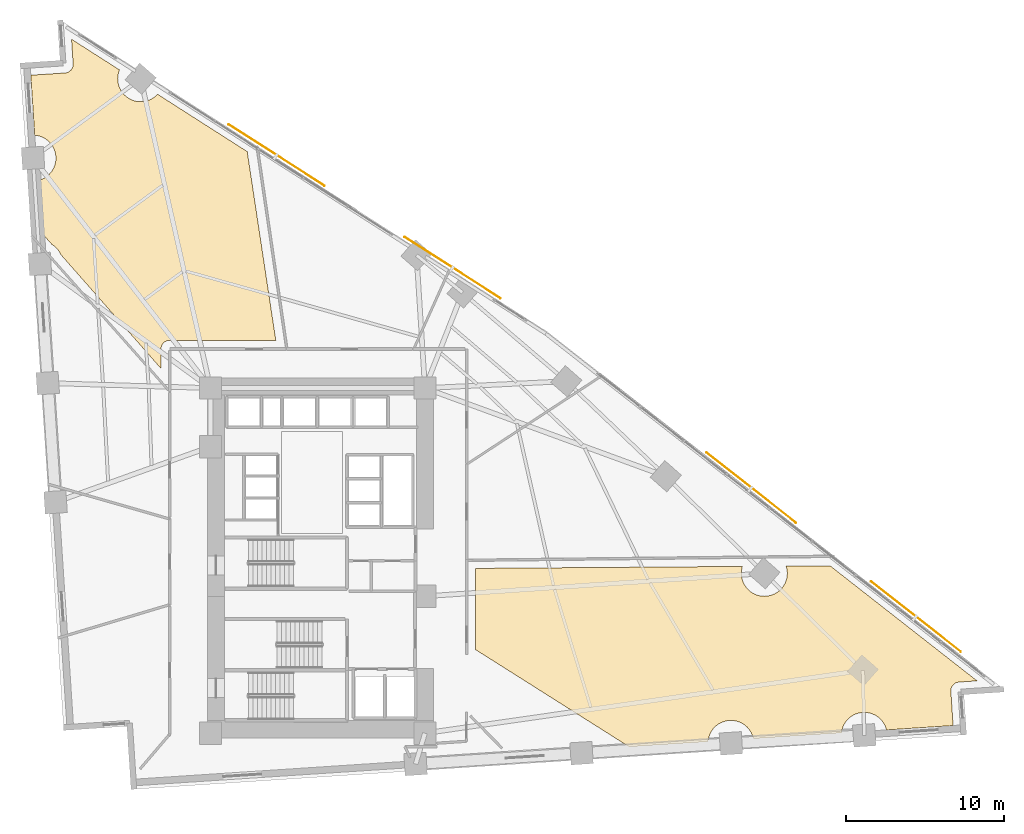
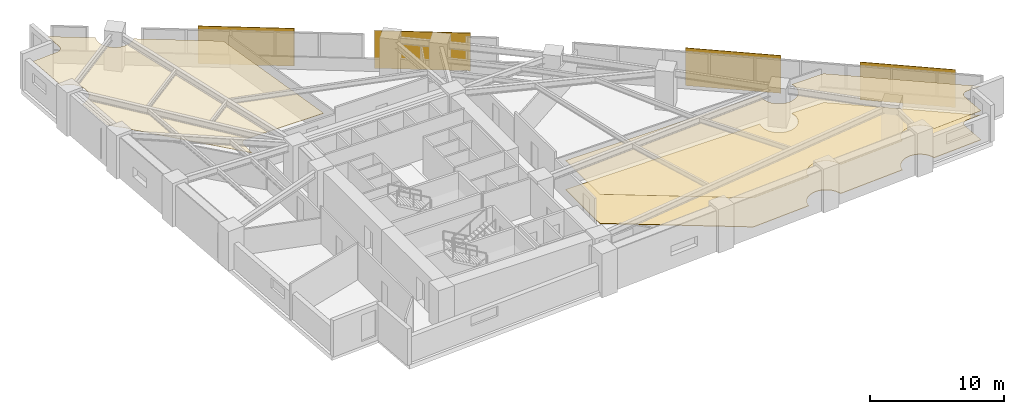
# One storey, part 17 of 17: 4 shading devices, 3 coverings.
"""IFC4 building model written with IfcOpenShell, lengths in metres."""

from ifc_helpers import new_model, si_unit, direction, frame, origin, origin_2d, place, context, subcontext, project, spatial, polyline, rectangle, outline, extrude, material, layer, layer_set, type_object, element, save


model = new_model("IFC4")

# Units and contexts
model_context = context("Model", 3, precision=1e-05, world=origin(), true_north=direction((0.0, 1.0)))
body_context = subcontext(model_context, "Body", "Model", "MODEL_VIEW")
ifc_project = project(units=[si_unit("LENGTHUNIT", "METRE"), si_unit("AREAUNIT", "SQUARE_METRE"), si_unit("VOLUMEUNIT", "CUBIC_METRE"), si_unit("PLANEANGLEUNIT", "RADIAN"), si_unit("MASSUNIT", "GRAM", prefix="KILO")], contexts=[model_context])

# Site, building, storey
site_placement = place(None, origin())
site = spatial("IfcSite", under=ifc_project, at=site_placement, CompositionType="ELEMENT")
building_placement = place(site_placement, origin())
building = spatial("IfcBuilding", under=site, at=building_placement, Name="Narakoshi Arena Tower", CompositionType="ELEMENT")
storey_placement = place(building_placement, frame((0.0, 0.0, 63.300048828125)))
storey = spatial("IfcBuildingStorey", under=building, at=storey_placement, Name="L16", CompositionType="ELEMENT", Elevation=63.300048828125)

# Coverings
ifc_material_1 = material(Name="Acoustic mineral-fibre ceiling tile")
ifc_layer_1 = layer(ifc_material_1, 0.02001953125)
ifc_layer_set_1 = layer_set([ifc_layer_1], Name="Acoustic mineral-fibre ceiling tile")
covering_type_1 = type_object("IfcCoveringType", Name="COV-CLG-AC20", PredefinedType="CEILING", material=ifc_layer_set_1)
covering_1_placement = place(storey_placement, frame((0.0, 0.0, 2.669921875)))
element("IfcCovering", 1, at=covering_1_placement, inside=storey, type_object=covering_type_1, Name="L16 Suspended Acoustic Ceiling 1", PredefinedType="CEILING", context=body_context, shape_type="SweptSolid", body=[
    extrude(outline(polyline([(119.23193359375, 37.922607421875), (119.17919921875, 37.9111328125), (119.1279296875, 37.89453125), (119.078369140625, 37.873046875), (119.03125, 37.846923828125), (118.98681640625, 37.816162109375), (118.945556640625, 37.78125), (118.908203125, 37.742431640625), (118.87451171875, 37.7001953125), (118.84521484375, 37.65478515625), (118.820556640625, 37.606689453125), (118.80078125, 37.556640625), (118.785888671875, 37.504638671875), (118.7763671875, 37.45166015625), (118.77197265625, 37.397705078125), (118.772705078125, 37.34375), (118.91455078125, 35.18212890625), (114.706787109375, 34.90625), (114.687255859375, 34.984375), (114.63916015625, 35.118408203125), (114.578369140625, 35.2470703125), (114.505126953125, 35.369140625), (114.42041015625, 35.4833984375), (114.324951171875, 35.5888671875), (114.219482421875, 35.684326171875), (114.105224609375, 35.76904296875), (113.983154296875, 35.84228515625), (113.8544921875, 35.903076171875), (113.720458984375, 35.951171875), (113.58251953125, 35.985595703125), (113.441650390625, 36.006591796875), (113.299560546875, 36.013427734375), (113.157470703125, 36.006591796875), (113.0166015625, 35.985595703125), (112.878662109375, 35.951171875), (112.74462890625, 35.903076171875), (112.6162109375, 35.84228515625), (112.493896484375, 35.76904296875), (112.379638671875, 35.684326171875), (112.2744140625, 35.5888671875), (112.1787109375, 35.4833984375), (112.093994140625, 35.369140625), (112.020751953125, 35.2470703125), (111.9599609375, 35.118408203125), (111.912109375, 34.984375), (111.87744140625, 34.846435546875), (111.858642578125, 34.719482421875), (106.296142578125, 34.35498046875), (106.265625, 34.4775390625), (106.217529296875, 34.611572265625), (106.15673828125, 34.739990234375), (106.08349609375, 34.8623046875), (105.998779296875, 34.9765625), (105.9033203125, 35.081787109375), (105.7978515625, 35.177490234375), (105.68359375, 35.26220703125), (105.5615234375, 35.33544921875), (105.432861328125, 35.396240234375), (105.298828125, 35.444091796875), (105.160888671875, 35.478759765625), (105.02001953125, 35.49951171875), (104.8779296875, 35.506591796875), (104.73583984375, 35.49951171875), (104.59521484375, 35.478759765625), (104.45703125, 35.444091796875), (104.322998046875, 35.396240234375), (104.194580078125, 35.33544921875), (104.072509765625, 35.26220703125), (103.9580078125, 35.177490234375), (103.852783203125, 35.081787109375), (103.757080078125, 34.9765625), (103.67236328125, 34.8623046875), (103.59912109375, 34.739990234375), (103.538330078125, 34.611572265625), (103.490478515625, 34.4775390625), (103.455810546875, 34.339599609375), (103.43505859375, 34.19873046875), (103.433349609375, 34.16748046875), (98.44970703125, 33.8408203125), (88.72802734375, 39.987548828125), (88.72802734375, 45.111083984375), (105.607421875, 45.23583984375), (105.602294921875, 45.221435546875), (105.56787109375, 45.08349609375), (105.546875, 44.942626953125), (105.539794921875, 44.800537109375), (105.546875, 44.658447265625), (105.56787109375, 44.517578125), (105.602294921875, 44.379638671875), (105.650390625, 44.24560546875), (105.711181640625, 44.116943359375), (105.7841796875, 43.994873046875), (105.868896484375, 43.880615234375), (105.964599609375, 43.775146484375), (106.070068359375, 43.6796875), (106.184326171875, 43.594970703125), (106.306396484375, 43.521728515625), (106.43505859375, 43.4609375), (106.569091796875, 43.412841796875), (106.70703125, 43.37841796875), (106.847900390625, 43.357421875), (106.989990234375, 43.3505859375), (107.132080078125, 43.357421875), (107.272705078125, 43.37841796875), (107.410888671875, 43.412841796875), (107.544921875, 43.4609375), (107.67333984375, 43.521728515625), (107.79541015625, 43.594970703125), (107.909912109375, 43.6796875), (108.01513671875, 43.775146484375), (108.11083984375, 43.880615234375), (108.195556640625, 43.994873046875), (108.268798828125, 44.116943359375), (108.32958984375, 44.24560546875), (108.37744140625, 44.379638671875), (108.412109375, 44.517578125), (108.432861328125, 44.658447265625), (108.43994140625, 44.800537109375), (108.432861328125, 44.942626953125), (108.412109375, 45.08349609375), (108.37744140625, 45.221435546875), (108.364990234375, 45.256103515625), (111.140380859375, 45.276611328125), (120.429931640625, 38.003662109375), (119.28564453125, 37.9287109375), (119.23193359375, 37.922607421875)])), origin(), (0.0, 0.0, 1.0), 0.02001953125),
])
ifc_material_2 = material(Name="Slatted oak acoustic timber baffle", Category="wood")
ifc_layer_2 = layer(ifc_material_2, 0.034912109375)
ifc_layer_set_2 = layer_set([ifc_layer_2], Name="Slatted oak acoustic timber baffle")
covering_type_2 = type_object("IfcCoveringType", Name="COV-CLG-WD35", PredefinedType="CEILING", material=ifc_layer_set_2)
covering_2_placement = place(storey_placement, frame((0.0, 0.0, 2.655029296875)))
element("IfcCovering", 2, at=covering_2_placement, inside=storey, type_object=covering_type_2, Name="L16 Suspended Acoustic Ceiling 2", PredefinedType="CEILING", context=body_context, shape_type="SweptSolid", body=[
    extrude(outline(polyline([(62.809326171875, 76.409423828125), (62.863037109375, 76.41552734375), (62.915771484375, 76.427001953125), (62.967041015625, 76.443603515625), (63.0166015625, 76.46484375), (63.063720703125, 76.4912109375), (63.108154296875, 76.52197265625), (63.1494140625, 76.556884765625), (63.18701171875, 76.595703125), (63.220458984375, 76.6376953125), (63.249755859375, 76.68310546875), (63.2744140625, 76.731201171875), (63.294189453125, 76.781494140625), (63.30908203125, 76.833251953125), (63.318603515625, 76.886474609375), (63.322998046875, 76.940185546875), (63.322265625, 76.994140625), (63.220703125, 78.541259765625), (66.252197265625, 76.602294921875), (66.250244140625, 76.598388671875), (66.202392578125, 76.46435546875), (66.167724609375, 76.326416015625), (66.14697265625, 76.185546875), (66.139892578125, 76.04345703125), (66.14697265625, 75.9013671875), (66.167724609375, 75.760498046875), (66.202392578125, 75.62255859375), (66.250244140625, 75.488525390625), (66.31103515625, 75.35986328125), (66.38427734375, 75.23779296875), (66.468994140625, 75.12353515625), (66.564697265625, 75.01806640625), (66.669921875, 74.922607421875), (66.7841796875, 74.837890625), (66.906494140625, 74.7646484375), (67.034912109375, 74.703857421875), (67.1689453125, 74.65576171875), (67.306884765625, 74.621337890625), (67.44775390625, 74.600341796875), (67.58984375, 74.593505859375), (67.73193359375, 74.600341796875), (67.872802734375, 74.621337890625), (68.0107421875, 74.65576171875), (68.144775390625, 74.703857421875), (68.2734375, 74.7646484375), (68.3955078125, 74.837890625), (68.509765625, 74.922607421875), (68.615234375, 75.01806640625), (68.656982421875, 75.064208984375), (74.3212890625, 71.44091796875), (76.125, 59.5224609375), (69.427490234375, 59.5224609375), (69.37353515625, 59.52001953125), (69.3203125, 59.511962890625), (69.267822265625, 59.498779296875), (69.217041015625, 59.480712890625), (69.168212890625, 59.45751953125), (69.121826171875, 59.4296875), (69.07861328125, 59.397705078125), (69.03857421875, 59.361328125), (69.002197265625, 59.3212890625), (68.97021484375, 59.278076171875), (68.9423828125, 59.231689453125), (68.91943359375, 59.18310546875), (68.901123046875, 59.132080078125), (68.88818359375, 59.079833984375), (68.880126953125, 59.0263671875), (68.87744140625, 58.972412109375), (68.87744140625, 57.73291015625), (62.549072265625, 64.92822265625), (62.502685546875, 65.026611328125), (62.429443359375, 65.148681640625), (62.3447265625, 65.262939453125), (62.2490234375, 65.368408203125), (62.143798828125, 65.4638671875), (62.029296875, 65.548583984375), (61.974609375, 65.58154296875), (61.297607421875, 66.351318359375), (61.083740234375, 69.61279296875), (61.206298828125, 69.643310546875), (61.34033203125, 69.69140625), (61.468994140625, 69.752197265625), (61.591064453125, 69.8251953125), (61.705322265625, 69.909912109375), (61.810791015625, 70.005615234375), (61.90625, 70.111083984375), (61.990966796875, 70.225341796875), (62.064208984375, 70.347412109375), (62.125, 70.47607421875), (62.173095703125, 70.610107421875), (62.20751953125, 70.748046875), (62.228515625, 70.888916015625), (62.2353515625, 71.031005859375), (62.228515625, 71.173095703125), (62.20751953125, 71.313720703125), (62.173095703125, 71.451904296875), (62.125, 71.585693359375), (62.064208984375, 71.71435546875), (61.990966796875, 71.83642578125), (61.90625, 71.95068359375), (61.810791015625, 72.05615234375), (61.705322265625, 72.15185546875), (61.591064453125, 72.236572265625), (61.468994140625, 72.309814453125), (61.34033203125, 72.37060546875), (61.206298828125, 72.41845703125), (61.068359375, 72.452880859375), (60.927490234375, 72.473876953125), (60.896240234375, 72.4755859375), (60.647705078125, 76.267578125), (62.809326171875, 76.409423828125)])), origin(), (0.0, 0.0, 1.0), 0.034912109375),
])
ifc_material_3 = material(Name="Raised steel access floor panel", Category="steel")
ifc_layer_3 = layer(ifc_material_3, 0.044921875)
ifc_layer_set_3 = layer_set([ifc_layer_3], Name="Raised steel access floor panel")
covering_type_3 = type_object("IfcCoveringType", Name="COV-FLR-RF45", PredefinedType="FLOORING", material=ifc_layer_set_3)
covering_3_placement = place(storey_placement, origin())
element("IfcCovering", 3, at=covering_3_placement, inside=storey, type_object=covering_type_3, Name="L16 Raised Steel Access Floor", PredefinedType="FLOORING", context=body_context, shape_type="SweptSolid", body=[
    extrude(outline(polyline([(119.23193359375, 37.922607421875), (119.17919921875, 37.9111328125), (119.1279296875, 37.89453125), (119.078369140625, 37.873046875), (119.03125, 37.846923828125), (118.98681640625, 37.816162109375), (118.945556640625, 37.78125), (118.908203125, 37.742431640625), (118.87451171875, 37.7001953125), (118.84521484375, 37.65478515625), (118.820556640625, 37.606689453125), (118.80078125, 37.556640625), (118.785888671875, 37.504638671875), (118.7763671875, 37.45166015625), (118.77197265625, 37.397705078125), (118.772705078125, 37.34375), (118.91455078125, 35.18212890625), (114.706787109375, 34.90625), (114.687255859375, 34.984375), (114.63916015625, 35.118408203125), (114.578369140625, 35.2470703125), (114.505126953125, 35.369140625), (114.42041015625, 35.4833984375), (114.324951171875, 35.5888671875), (114.219482421875, 35.684326171875), (114.105224609375, 35.76904296875), (113.983154296875, 35.84228515625), (113.8544921875, 35.903076171875), (113.720458984375, 35.951171875), (113.58251953125, 35.985595703125), (113.441650390625, 36.006591796875), (113.299560546875, 36.013427734375), (113.157470703125, 36.006591796875), (113.0166015625, 35.985595703125), (112.878662109375, 35.951171875), (112.74462890625, 35.903076171875), (112.6162109375, 35.84228515625), (112.493896484375, 35.76904296875), (112.379638671875, 35.684326171875), (112.2744140625, 35.5888671875), (112.1787109375, 35.4833984375), (112.093994140625, 35.369140625), (112.020751953125, 35.2470703125), (111.9599609375, 35.118408203125), (111.912109375, 34.984375), (111.87744140625, 34.846435546875), (111.858642578125, 34.719482421875), (106.296142578125, 34.35498046875), (106.265625, 34.4775390625), (106.217529296875, 34.611572265625), (106.15673828125, 34.739990234375), (106.08349609375, 34.8623046875), (105.998779296875, 34.9765625), (105.9033203125, 35.081787109375), (105.7978515625, 35.177490234375), (105.68359375, 35.26220703125), (105.5615234375, 35.33544921875), (105.432861328125, 35.396240234375), (105.298828125, 35.444091796875), (105.160888671875, 35.478759765625), (105.02001953125, 35.49951171875), (104.8779296875, 35.506591796875), (104.73583984375, 35.49951171875), (104.59521484375, 35.478759765625), (104.45703125, 35.444091796875), (104.322998046875, 35.396240234375), (104.194580078125, 35.33544921875), (104.072509765625, 35.26220703125), (103.9580078125, 35.177490234375), (103.852783203125, 35.081787109375), (103.757080078125, 34.9765625), (103.67236328125, 34.8623046875), (103.59912109375, 34.739990234375), (103.538330078125, 34.611572265625), (103.490478515625, 34.4775390625), (103.455810546875, 34.339599609375), (103.43505859375, 34.19873046875), (103.433349609375, 34.16748046875), (98.44970703125, 33.8408203125), (88.72802734375, 39.987548828125), (88.72802734375, 45.111083984375), (105.607421875, 45.23583984375), (105.602294921875, 45.221435546875), (105.56787109375, 45.08349609375), (105.546875, 44.942626953125), (105.539794921875, 44.800537109375), (105.546875, 44.658447265625), (105.56787109375, 44.517578125), (105.602294921875, 44.379638671875), (105.650390625, 44.24560546875), (105.711181640625, 44.116943359375), (105.7841796875, 43.994873046875), (105.868896484375, 43.880615234375), (105.964599609375, 43.775146484375), (106.070068359375, 43.6796875), (106.184326171875, 43.594970703125), (106.306396484375, 43.521728515625), (106.43505859375, 43.4609375), (106.569091796875, 43.412841796875), (106.70703125, 43.37841796875), (106.847900390625, 43.357421875), (106.989990234375, 43.3505859375), (107.132080078125, 43.357421875), (107.272705078125, 43.37841796875), (107.410888671875, 43.412841796875), (107.544921875, 43.4609375), (107.67333984375, 43.521728515625), (107.79541015625, 43.594970703125), (107.909912109375, 43.6796875), (108.01513671875, 43.775146484375), (108.11083984375, 43.880615234375), (108.195556640625, 43.994873046875), (108.268798828125, 44.116943359375), (108.32958984375, 44.24560546875), (108.37744140625, 44.379638671875), (108.412109375, 44.517578125), (108.432861328125, 44.658447265625), (108.43994140625, 44.800537109375), (108.432861328125, 44.942626953125), (108.412109375, 45.08349609375), (108.37744140625, 45.221435546875), (108.364990234375, 45.256103515625), (111.140380859375, 45.276611328125), (120.429931640625, 38.003662109375), (119.28564453125, 37.9287109375), (119.23193359375, 37.922607421875)])), origin(), (0.0, 0.0, 1.0), 0.044921875),
])

# Shading devices
ifc_material_4 = material(Name="Perforated bronze ceramic-metal composite")
ifc_layer_4 = layer(ifc_material_4, 0.044921875)
ifc_layer_set_4 = layer_set([ifc_layer_4], Name="Perforated bronze ceramic-metal composite")
shading_device_type = type_object("IfcShadingDeviceType", Name="SHD-SCR-BRZ1", PredefinedType="USERDEFINED", material=ifc_layer_set_4)
for number, where, z_axis, x_axis, name in (
    (4, (116.560546875, 42.06494140625, 0.0), (0.0, 0.0, 1.0), (-0.787387121413, 0.616458855912, 0.0), "L16 Perforated Bronze Solar Screen 1-1"),
    (5, (106.1669921875, 50.2021484375, 0.0), (0.0, 0.0, 1.0), (-0.787387121413, 0.616458855912, 0.0), "L16 Perforated Bronze Solar Screen 1-2"),
    (6, (87.29541015625, 64.10693359375, 0.0), (0.0, 0.0, 1.0), (-0.842414781658, 0.538829597966, 0.0), "L16 Perforated Bronze Solar Screen 2-1"),
    (7, (76.17529296875, 71.219482421875, 0.0), (0.0, 0.0, 1.0), (-0.842414781658, 0.538829597966, 0.0), "L16 Perforated Bronze Solar Screen 2-2"),
):
    element("IfcShadingDevice", number, at=place(storey_placement, frame(where, z_axis=z_axis, x_axis=x_axis)), inside=storey, type_object=shading_device_type, Name=name, ObjectType="SOLAR SCREEN", PredefinedType="USERDEFINED", context=body_context, shape_type="SweptSolid", body=[
        extrude(rectangle(XDim=7.199951171875, YDim=0.044921875, at=origin_2d()), origin(), (0.0, 0.0, 1.0), 3.449951171875),
    ])

save(model, "model.ifc")
